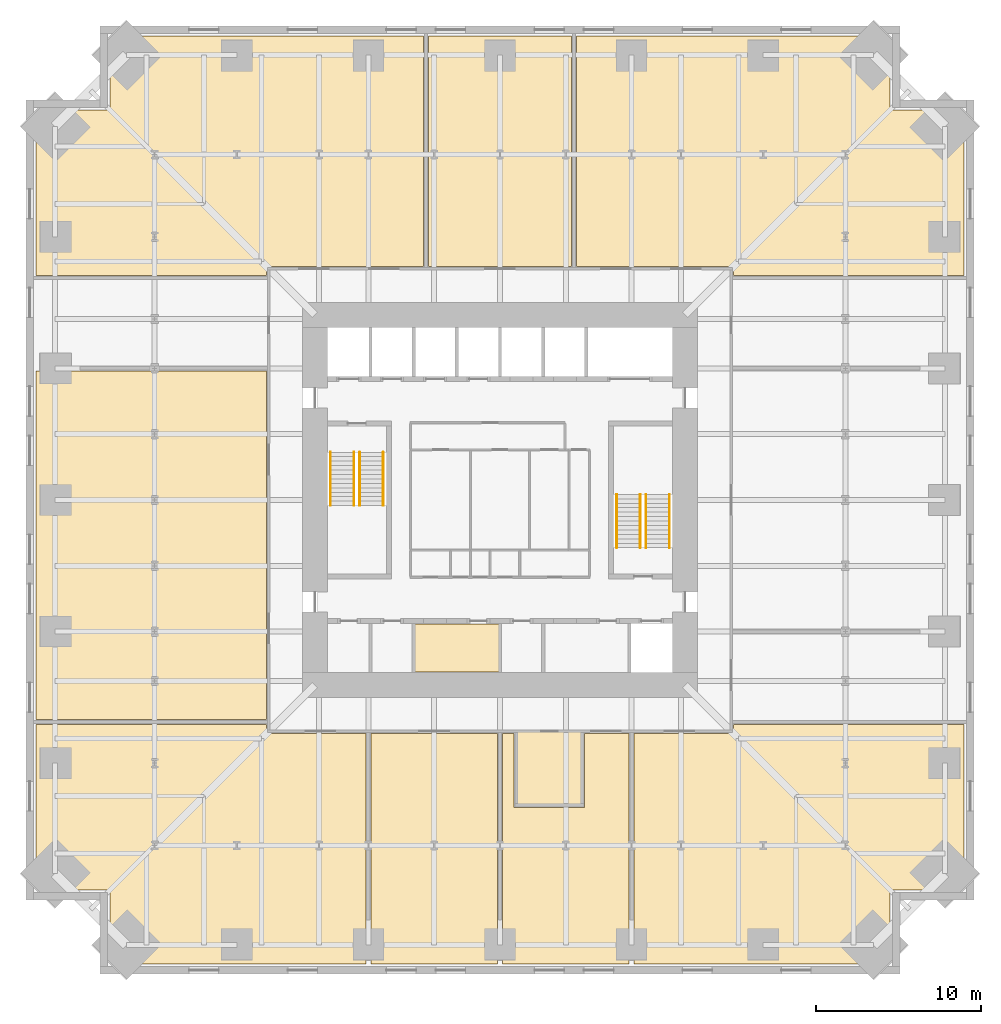
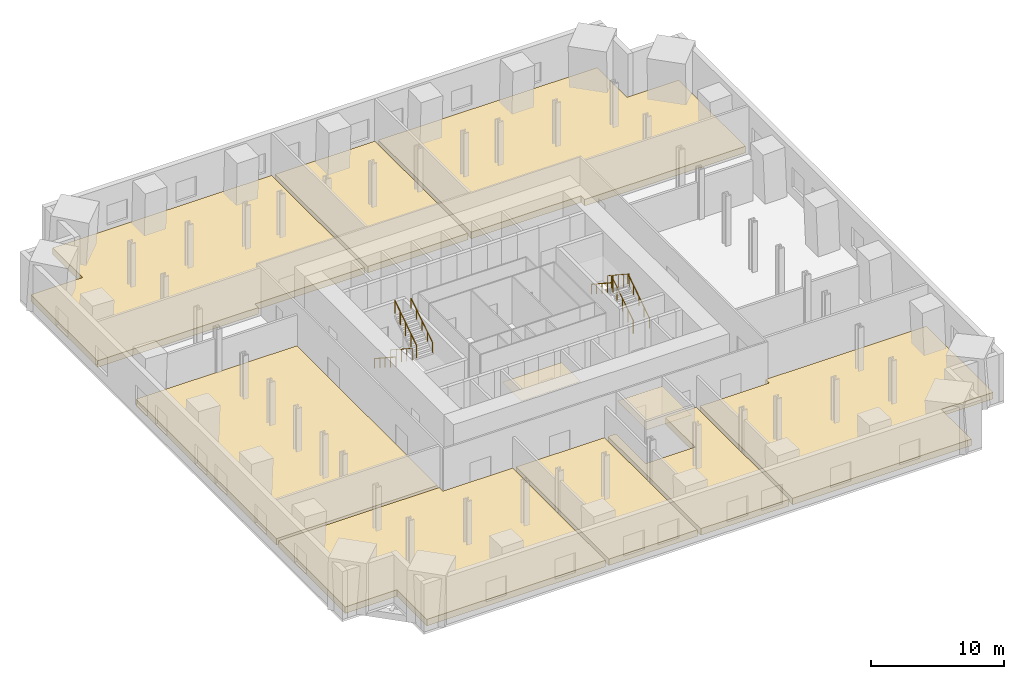
# One storey, part 8 of 8: 10 coverings, 8 railings.
"""IFC4 building model written with IfcOpenShell, lengths in metres."""

from ifc_helpers import new_model, si_unit, direction, frame, origin, origin_2d, place, context, subcontext, project, spatial, polyline, circle, outline, extrude, material, layer, layer_set, type_object, element, save


model = new_model("IFC4")

# Units and contexts
model_context = context("Model", 3, precision=1e-05, world=origin(), true_north=direction((0.0, 1.0)))
body_context = subcontext(model_context, "Body", "Model", "MODEL_VIEW")
ifc_project = project(units=[si_unit("LENGTHUNIT", "METRE"), si_unit("AREAUNIT", "SQUARE_METRE"), si_unit("VOLUMEUNIT", "CUBIC_METRE"), si_unit("PLANEANGLEUNIT", "RADIAN"), si_unit("MASSUNIT", "GRAM", prefix="KILO")], contexts=[model_context])

# Site, building, storey
site_placement = place(None, origin())
site = spatial("IfcSite", under=ifc_project, at=site_placement, CompositionType="ELEMENT")
building_placement = place(site_placement, origin())
building = spatial("IfcBuilding", under=site, at=building_placement, Name="Peilmerk Tower", CompositionType="ELEMENT")
storey_placement = place(building_placement, frame((0.0, 0.0, 95.199951171875)))
storey = spatial("IfcBuildingStorey", under=building, at=storey_placement, Name="L18", CompositionType="ELEMENT", Elevation=95.199951171875)

# Coverings
ifc_material_1 = material(Name="Mineral fibre ceiling tiles", Category="mineral")
ifc_layer_1 = layer(ifc_material_1, 0.02490234375)
ifc_layer_set_1 = layer_set([ifc_layer_1], Name="Mineral fibre ceiling tiles")
covering_type_1 = type_object("IfcCoveringType", Name="CL1 25 suspended ceiling", PredefinedType="CEILING", material=ifc_layer_set_1)
covering_1_placement = place(storey_placement, frame((0.0, 0.0, 3.47509765625)))
element("IfcCovering", 1, at=covering_1_placement, inside=storey, type_object=covering_type_1, Name="Suspended ceiling Operations office", PredefinedType="CEILING", context=body_context, shape_type="SweptSolid", body=[
    extrude(outline(polyline([(4.949951171875, -18.5), (4.949951171875, -14.10009765625), (1.050048828125, -14.10009765625), (1.050048828125, -18.5), (4.949951171875, -18.5)])), origin(), (0.0, 0.0, 1.0), 0.02490234375),
])
covering_2_placement = place(storey_placement, frame((0.0, 0.0, 3.425048828125)))
element("IfcCovering", 2, at=covering_2_placement, inside=storey, type_object=covering_type_1, Name="Suspended ceiling Back-of-house office", PredefinedType="CEILING", context=body_context, shape_type="SweptSolid", body=[
    extrude(outline(polyline([(-5.198974609375, -10.448974609375), (-0.051025390625, -10.448974609375), (-0.051025390625, -7.551025390625), (-5.198974609375, -7.551025390625), (-5.198974609375, -10.448974609375)])), origin(), (0.0, 0.0, 1.0), 0.02490234375),
])

# Railings
ifc_material_2 = material(Name="Steel flat bar balustrade", Category="steel")
railing_type_1 = type_object("IfcRailingType", Name="GR1 1200 stair guard", PredefinedType="GUARDRAIL", material=ifc_material_2)
railing_1_placement = place(storey_placement, frame((-8.8798828125, 2.89990234375, 0.177001953125)))
element("IfcRailing", 3, at=railing_1_placement, inside=storey, type_object=railing_type_1, Name="Guard stair 1 L18", PredefinedType="GUARDRAIL", context=body_context, shape_type="SweptSolid", body=[
    extrude(circle(Radius=0.02392578125, at=origin_2d()), frame((0.0, 0.0, 1.17578125), z_axis=(0.0, -0.836426258751, 0.548079477514), x_axis=(1.0, 0.0, 0.0)), (0.0, 0.0, 1.0), 3.87353515625),
    extrude(circle(Radius=0.02099609375, at=origin_2d()), origin(), (0.0, 0.0, 1.0), 1.15185546875),
    extrude(circle(Radius=0.02099609375, at=origin_2d()), frame((0.0, -0.81005859375, 0.53076171875)), (0.0, 0.0, 1.0), 1.15185546875),
    extrude(circle(Radius=0.02099609375, at=origin_2d()), frame((0.0, -1.6201171875, 1.0615234375)), (0.0, 0.0, 1.0), 1.15185546875),
    extrude(circle(Radius=0.02099609375, at=origin_2d()), frame((0.0, -2.429931640625, 1.59228515625)), (0.0, 0.0, 1.0), 1.15185546875),
    extrude(circle(Radius=0.02099609375, at=origin_2d()), frame((0.0, -3.239990234375, 2.123046875)), (0.0, 0.0, 1.0), 1.15185546875),
])
for number, where, name in (
    (4, (-8.52001953125, -0.340087890625, 2.47705078125), "Guard stair 1 L18"),
    (5, (8.8798828125, -2.89990234375, 0.177001953125), "Guard stair 2 L18"),
):
    element("IfcRailing", number, at=place(storey_placement, frame(where)), inside=storey, type_object=railing_type_1, Name=name, PredefinedType="GUARDRAIL", context=body_context, shape_type="SweptSolid", body=[
        extrude(circle(Radius=0.02392578125, at=origin_2d()), frame((0.0, 0.0, 1.17578125), z_axis=(0.0, 0.836426258751, 0.548079477514), x_axis=(-1.0, 0.0, 0.0)), (0.0, 0.0, 1.0), 3.87353515625),
        extrude(circle(Radius=0.02099609375, at=origin_2d()), origin(), (0.0, 0.0, 1.0), 1.15185546875),
        extrude(circle(Radius=0.02099609375, at=origin_2d()), frame((0.0, 0.81005859375, 0.53076171875)), (0.0, 0.0, 1.0), 1.15185546875),
        extrude(circle(Radius=0.02099609375, at=origin_2d()), frame((0.0, 1.6201171875, 1.0615234375)), (0.0, 0.0, 1.0), 1.15185546875),
        extrude(circle(Radius=0.02099609375, at=origin_2d()), frame((0.0, 2.429931640625, 1.59228515625)), (0.0, 0.0, 1.0), 1.15185546875),
        extrude(circle(Radius=0.02099609375, at=origin_2d()), frame((0.0, 3.239990234375, 2.123046875)), (0.0, 0.0, 1.0), 1.15185546875),
    ])
railing_2_placement = place(storey_placement, frame((8.52001953125, 0.340087890625, 2.47705078125)))
element("IfcRailing", 6, at=railing_2_placement, inside=storey, type_object=railing_type_1, Name="Guard stair 2 L18", PredefinedType="GUARDRAIL", context=body_context, shape_type="SweptSolid", body=[
    extrude(circle(Radius=0.02392578125, at=origin_2d()), frame((0.0, 0.0, 1.17578125), z_axis=(0.0, -0.836426258751, 0.548079477514), x_axis=(1.0, 0.0, 0.0)), (0.0, 0.0, 1.0), 3.87353515625),
    extrude(circle(Radius=0.02099609375, at=origin_2d()), origin(), (0.0, 0.0, 1.0), 1.15185546875),
    extrude(circle(Radius=0.02099609375, at=origin_2d()), frame((0.0, -0.81005859375, 0.53076171875)), (0.0, 0.0, 1.0), 1.15185546875),
    extrude(circle(Radius=0.02099609375, at=origin_2d()), frame((0.0, -1.6201171875, 1.0615234375)), (0.0, 0.0, 1.0), 1.15185546875),
    extrude(circle(Radius=0.02099609375, at=origin_2d()), frame((0.0, -2.429931640625, 1.59228515625)), (0.0, 0.0, 1.0), 1.15185546875),
    extrude(circle(Radius=0.02099609375, at=origin_2d()), frame((0.0, -3.239990234375, 2.123046875)), (0.0, 0.0, 1.0), 1.15185546875),
])
ifc_material_3 = material(Name="Stainless steel tube", Category="steel")
railing_type_2 = type_object("IfcRailingType", Name="HR1 900 stair handrail", PredefinedType="HANDRAIL", material=ifc_material_3)
railing_3_placement = place(storey_placement, frame((-10.300048828125, 2.89990234375, 0.177001953125)))
element("IfcRailing", 7, at=railing_3_placement, inside=storey, type_object=railing_type_2, Name="Handrail stair 1 L18", PredefinedType="HANDRAIL", context=body_context, shape_type="SweptSolid", body=[
    extrude(circle(Radius=0.02392578125, at=origin_2d()), frame((0.0, 0.0, 0.8759765625), z_axis=(0.0, -0.836426258751, 0.548079477514), x_axis=(1.0, 0.0, 0.0)), (0.0, 0.0, 1.0), 3.87353515625),
    extrude(circle(Radius=0.02099609375, at=origin_2d()), origin(), (0.0, 0.0, 1.0), 0.851806640625),
    extrude(circle(Radius=0.02099609375, at=origin_2d()), frame((0.0, -0.81005859375, 0.53076171875)), (0.0, 0.0, 1.0), 0.851806640625),
    extrude(circle(Radius=0.02099609375, at=origin_2d()), frame((0.0, -1.6201171875, 1.0615234375)), (0.0, 0.0, 1.0), 0.851806640625),
    extrude(circle(Radius=0.02099609375, at=origin_2d()), frame((0.0, -2.429931640625, 1.59228515625)), (0.0, 0.0, 1.0), 0.851806640625),
    extrude(circle(Radius=0.02099609375, at=origin_2d()), frame((0.0, -3.239990234375, 2.123046875)), (0.0, 0.0, 1.0), 0.851806640625),
])
for number, where, name in (
    (8, (-7.10009765625, -0.340087890625, 2.47705078125), "Handrail stair 1 L18"),
    (9, (10.300048828125, -2.89990234375, 0.177001953125), "Handrail stair 2 L18"),
):
    element("IfcRailing", number, at=place(storey_placement, frame(where)), inside=storey, type_object=railing_type_2, Name=name, PredefinedType="HANDRAIL", context=body_context, shape_type="SweptSolid", body=[
        extrude(circle(Radius=0.02392578125, at=origin_2d()), frame((0.0, 0.0, 0.8759765625), z_axis=(0.0, 0.836426258751, 0.548079477514), x_axis=(-1.0, 0.0, 0.0)), (0.0, 0.0, 1.0), 3.87353515625),
        extrude(circle(Radius=0.02099609375, at=origin_2d()), origin(), (0.0, 0.0, 1.0), 0.851806640625),
        extrude(circle(Radius=0.02099609375, at=origin_2d()), frame((0.0, 0.81005859375, 0.53076171875)), (0.0, 0.0, 1.0), 0.851806640625),
        extrude(circle(Radius=0.02099609375, at=origin_2d()), frame((0.0, 1.6201171875, 1.0615234375)), (0.0, 0.0, 1.0), 0.851806640625),
        extrude(circle(Radius=0.02099609375, at=origin_2d()), frame((0.0, 2.429931640625, 1.59228515625)), (0.0, 0.0, 1.0), 0.851806640625),
        extrude(circle(Radius=0.02099609375, at=origin_2d()), frame((0.0, 3.239990234375, 2.123046875)), (0.0, 0.0, 1.0), 0.851806640625),
    ])
railing_4_placement = place(storey_placement, frame((7.10009765625, 0.340087890625, 2.47705078125)))
element("IfcRailing", 10, at=railing_4_placement, inside=storey, type_object=railing_type_2, Name="Handrail stair 2 L18", PredefinedType="HANDRAIL", context=body_context, shape_type="SweptSolid", body=[
    extrude(circle(Radius=0.02392578125, at=origin_2d()), frame((0.0, 0.0, 0.8759765625), z_axis=(0.0, -0.836426258751, 0.548079477514), x_axis=(1.0, 0.0, 0.0)), (0.0, 0.0, 1.0), 3.87353515625),
    extrude(circle(Radius=0.02099609375, at=origin_2d()), origin(), (0.0, 0.0, 1.0), 0.851806640625),
    extrude(circle(Radius=0.02099609375, at=origin_2d()), frame((0.0, -0.81005859375, 0.53076171875)), (0.0, 0.0, 1.0), 0.851806640625),
    extrude(circle(Radius=0.02099609375, at=origin_2d()), frame((0.0, -1.6201171875, 1.0615234375)), (0.0, 0.0, 1.0), 0.851806640625),
    extrude(circle(Radius=0.02099609375, at=origin_2d()), frame((0.0, -2.429931640625, 1.59228515625)), (0.0, 0.0, 1.0), 0.851806640625),
    extrude(circle(Radius=0.02099609375, at=origin_2d()), frame((0.0, -3.239990234375, 2.123046875)), (0.0, 0.0, 1.0), 0.851806640625),
])

# Coverings
ifc_material_4 = material(Name="Steel raised access floor panels on pedestals", Category="steel")
ifc_layer_2 = layer(ifc_material_4, 0.60009765625)
ifc_layer_set_2 = layer_set([ifc_layer_2], Name="Steel raised access floor panels on pedestals")
covering_type_2 = type_object("IfcCoveringType", Name="RF1 600 raised access floor", PredefinedType="FLOORING", material=ifc_layer_set_2)
covering_3_placement = place(storey_placement, origin())
element("IfcCovering", 11, at=covering_3_placement, inside=storey, type_object=covering_type_2, Name="Raised access floor Telecom equipment room A", PredefinedType="FLOORING", context=body_context, shape_type="SweptSolid", body=[
    extrude(outline(polyline([(-28.199951171875, 23.699951171875), (-28.199951171875, 13.64990234375), (-14.199951171875, 13.64990234375), (-14.199951171875, 14.199951171875), (-4.64990234375, 14.199951171875), (-4.64990234375, 28.199951171875), (-23.699951171875, 28.199951171875), (-23.699951171875, 23.699951171875), (-28.199951171875, 23.699951171875)])), origin(), (0.0, 0.0, 1.0), 0.60009765625),
])
covering_4_placement = place(storey_placement, origin())
element("IfcCovering", 12, at=covering_4_placement, inside=storey, type_object=covering_type_2, Name="Raised access floor Telecom equipment room B", PredefinedType="FLOORING", context=body_context, shape_type="SweptSolid", body=[
    extrude(outline(polyline([(4.35009765625, 28.199951171875), (-4.35009765625, 28.199951171875), (-4.35009765625, 14.199951171875), (4.35009765625, 14.199951171875), (4.35009765625, 28.199951171875)])), origin(), (0.0, 0.0, 1.0), 0.60009765625),
])
covering_5_placement = place(storey_placement, origin())
element("IfcCovering", 13, at=covering_5_placement, inside=storey, type_object=covering_type_2, Name="Raised access floor Telecom equipment room C", PredefinedType="FLOORING", context=body_context, shape_type="SweptSolid", body=[
    extrude(outline(polyline([(23.699951171875, 28.199951171875), (4.64990234375, 28.199951171875), (4.64990234375, 14.199951171875), (14.199951171875, 14.199951171875), (14.199951171875, 13.64990234375), (28.199951171875, 13.64990234375), (28.199951171875, 23.699951171875), (23.699951171875, 23.699951171875), (23.699951171875, 28.199951171875)])), origin(), (0.0, 0.0, 1.0), 0.60009765625),
])
covering_6_placement = place(storey_placement, origin())
element("IfcCovering", 14, at=covering_6_placement, inside=storey, type_object=covering_type_2, Name="Raised access floor Telecom equipment room D", PredefinedType="FLOORING", context=body_context, shape_type="SweptSolid", body=[
    extrude(outline(polyline([(-23.699951171875, -28.199951171875), (-8.14990234375, -28.199951171875), (-8.14990234375, -14.199951171875), (-14.199951171875, -14.199951171875), (-14.199951171875, -13.64990234375), (-28.199951171875, -13.64990234375), (-28.199951171875, -23.699951171875), (-23.699951171875, -23.699951171875), (-23.699951171875, -28.199951171875)])), origin(), (0.0, 0.0, 1.0), 0.60009765625),
])
covering_7_placement = place(storey_placement, origin())
element("IfcCovering", 15, at=covering_7_placement, inside=storey, type_object=covering_type_2, Name="Raised access floor Transmission room A", PredefinedType="FLOORING", context=body_context, shape_type="SweptSolid", body=[
    extrude(outline(polyline([(-7.85009765625, -28.199951171875), (-0.14990234375, -28.199951171875), (-0.14990234375, -14.199951171875), (-7.85009765625, -14.199951171875), (-7.85009765625, -28.199951171875)])), origin(), (0.0, 0.0, 1.0), 0.60009765625),
])
covering_8_placement = place(storey_placement, origin())
element("IfcCovering", 16, at=covering_8_placement, inside=storey, type_object=covering_type_2, Name="Raised access floor Transmission room B", PredefinedType="FLOORING", context=body_context, shape_type="SweptSolid", body=[
    extrude(outline(polyline([(0.14990234375, -14.199951171875), (0.14990234375, -28.199951171875), (7.85009765625, -28.199951171875), (7.85009765625, -14.199951171875), (5.14990234375, -14.199951171875), (5.14990234375, -18.699951171875), (0.85009765625, -18.699951171875), (0.85009765625, -14.199951171875), (0.14990234375, -14.199951171875)])), origin(), (0.0, 0.0, 1.0), 0.60009765625),
])
covering_9_placement = place(storey_placement, origin())
element("IfcCovering", 17, at=covering_9_placement, inside=storey, type_object=covering_type_2, Name="Raised access floor Telecom equipment room E", PredefinedType="FLOORING", context=body_context, shape_type="SweptSolid", body=[
    extrude(outline(polyline([(8.14990234375, -28.199951171875), (23.699951171875, -28.199951171875), (23.699951171875, -23.699951171875), (28.199951171875, -23.699951171875), (28.199951171875, -13.64990234375), (14.199951171875, -13.64990234375), (14.199951171875, -14.199951171875), (8.14990234375, -14.199951171875), (8.14990234375, -28.199951171875)])), origin(), (0.0, 0.0, 1.0), 0.60009765625),
])
covering_10_placement = place(storey_placement, origin())
element("IfcCovering", 18, at=covering_10_placement, inside=storey, type_object=covering_type_2, Name="Raised access floor Network room", PredefinedType="FLOORING", context=body_context, shape_type="SweptSolid", body=[
    extrude(outline(polyline([(-28.199951171875, 7.85009765625), (-28.199951171875, -13.35009765625), (-14.199951171875, -13.35009765625), (-14.199951171875, 7.85009765625), (-28.199951171875, 7.85009765625)])), origin(), (0.0, 0.0, 1.0), 0.60009765625),
])

save(model, "model.ifc")
